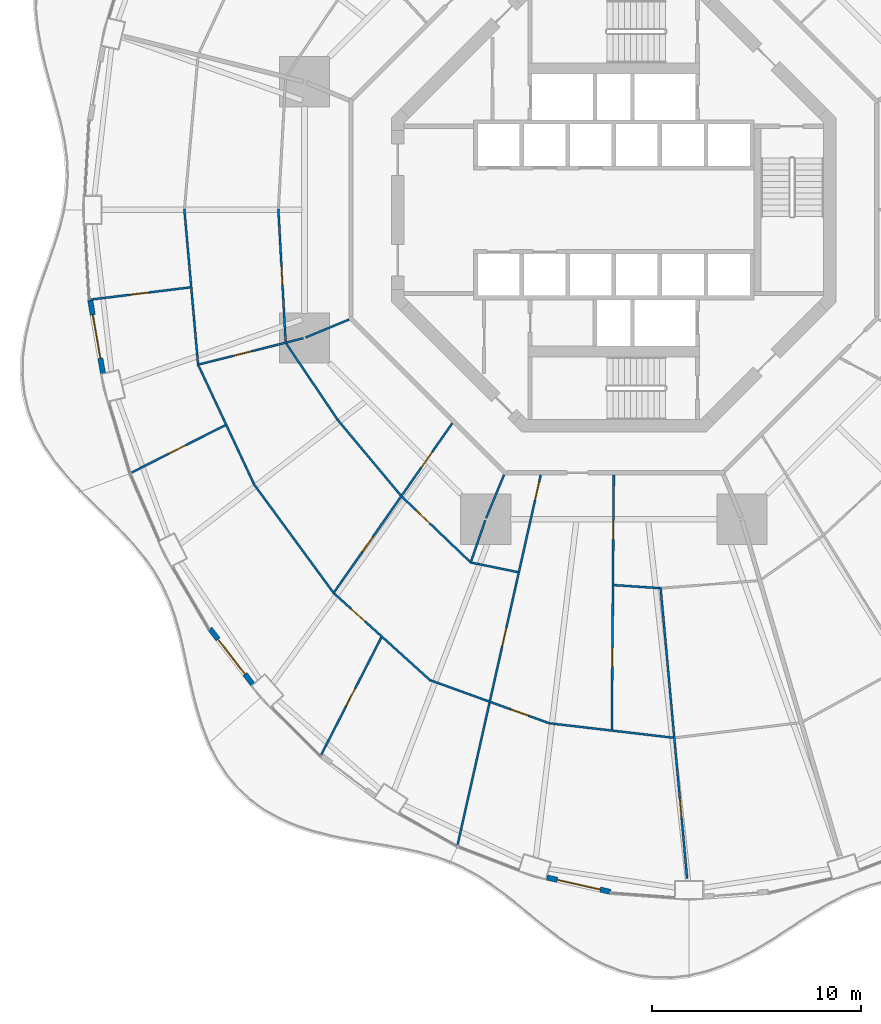
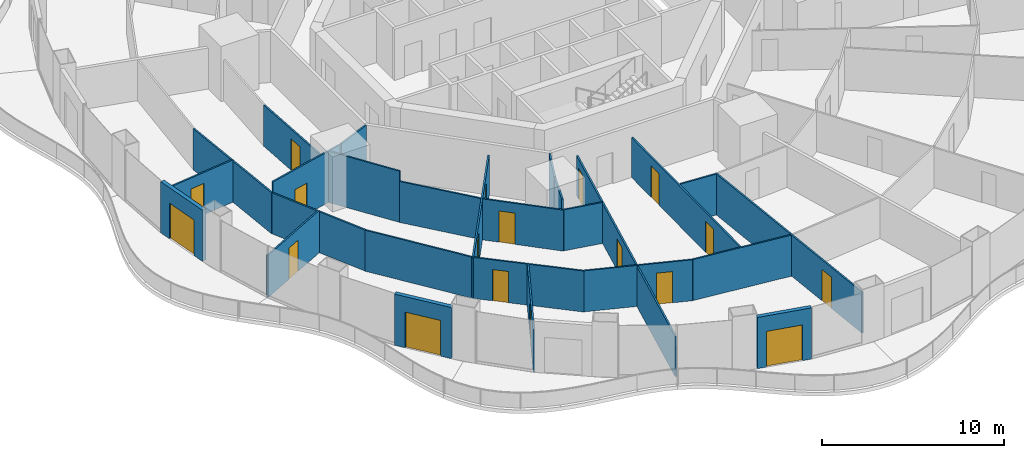
# One storey, part 14 of 22: 26 walls, 18 doors, 18 openings.
"""IFC4 building model written with IfcOpenShell, lengths in metres."""

from ifc_helpers import new_model, si_unit, direction, frame, frame_2d, origin, place, context, subcontext, project, spatial, rectangle, extrude, material, layer, layer_set, type_object, element, fill, save


model = new_model("IFC4")

# Units and contexts
model_context = context("Model", 3, precision=1e-05, world=origin(), true_north=direction((0.0, 1.0)))
body_context = subcontext(model_context, "Body", "Model", "MODEL_VIEW")
ifc_project = project(units=[si_unit("LENGTHUNIT", "METRE"), si_unit("AREAUNIT", "SQUARE_METRE"), si_unit("VOLUMEUNIT", "CUBIC_METRE"), si_unit("PLANEANGLEUNIT", "RADIAN"), si_unit("MASSUNIT", "GRAM", prefix="KILO")], contexts=[model_context])

# Site, building, storey
site_placement = place(None, origin())
site = spatial("IfcSite", under=ifc_project, at=site_placement, CompositionType="ELEMENT")
building_placement = place(site_placement, origin())
building = spatial("IfcBuilding", under=site, at=building_placement, Name="Nagisa Residences", CompositionType="ELEMENT")
storey_placement = place(building_placement, frame((0.0, 0.0, 45.5)))
storey = spatial("IfcBuildingStorey", under=building, at=storey_placement, Name="L10", CompositionType="ELEMENT", Elevation=45.5)

# Wall, opening, door
ifc_material_1 = material(Name="Gypsum board on steel studs", Category="steel")
ifc_layer_1 = layer(ifc_material_1, 0.10009765625)
ifc_layer_set_1 = layer_set([ifc_layer_1], Name="Apartment partition 100")
wall_type_1 = type_object("IfcWallType", Name="Apartment partition 100", PredefinedType="PARTITIONING", material=ifc_layer_set_1)
wall_1_placement = place(storey_placement, frame((-16.032958984375, 0.050048828125, 0.0), z_axis=(0.0, 0.0, 1.0), x_axis=(0.054634315779, -0.998506430395, 0.0)))
wall_1 = element("IfcWall", 1, at=wall_1_placement, inside=storey, type_object=wall_type_1, Name="wall:L10:u54", PredefinedType="PARTITIONING", context=body_context, shape_type="SweptSolid", body=[
    extrude(rectangle(XDim=6.35888671875, YDim=0.10009765625, at=frame_2d((3.179443359375, 0.0))), origin(), (0.0, 0.0, 1.0), 2.756103515625),
])
opening_1_placement = place(wall_1_placement, frame((2.75439453125, 0.0, 0.0)))
opening_1 = element("IfcOpeningElement", 2, at=opening_1_placement, cuts=wall_1, Name="Opening L10-U37", PredefinedType="OPENING", context=body_context, shape_type="SweptSolid", body=[
    extrude(rectangle(XDim=0.89990234375, YDim=2.10009765625, at=frame_2d((0.449951171875, 1.050048828125))), frame((0.0, 0.06005859375, 0.0), z_axis=(0.0, -1.0, 0.0), x_axis=(1.0, 0.0, 0.0)), (0.0, 0.0, 1.0), 0.1201171875),
])
ifc_material_2 = material(Name="Timber door set", Category="wood")
door_type_1 = type_object("IfcDoorType", Name="Apartment door 900x2100", OperationType="NOTDEFINED", PredefinedType="DOOR", material=ifc_material_2)
door_1_placement = place(opening_1_placement, origin())
door_1 = element("IfcDoor", 3, at=door_1_placement, inside=storey, type_object=door_type_1, Name="Door to store, Apartment 10B", OperationType="SINGLE_SWING_LEFT", OverallHeight=2.10009765625, OverallWidth=0.89990234375, PredefinedType="DOOR", context=body_context, shape_type="SweptSolid", body=[
    extrude(rectangle(XDim=0.89990234375, YDim=2.10009765625, at=frame_2d((0.449951171875, 1.050048828125))), frame((0.0, 0.02490234375, 0.0), z_axis=(0.0, -1.0, 0.0), x_axis=(1.0, 0.0, 0.0)), (0.0, 0.0, 1.0), 0.050048828125),
])
fill(opening_1, door_1)

# Wall
wall_2_placement = place(storey_placement, frame((-20.527099609375, 0.0498046875, 0.0), z_axis=(0.0, 0.0, 1.0), x_axis=(0.088135127406, -0.996108527881, 0.0)))
element("IfcWall", 4, at=wall_2_placement, inside=storey, type_object=wall_type_1, Name="wall:L10:u55", PredefinedType="PARTITIONING", context=body_context, shape_type="SweptSolid", body=[
    extrude(rectangle(XDim=7.529052734375, YDim=0.10009765625, at=frame_2d((3.7646484375, 0.0))), origin(), (0.0, 0.0, 1.0), 2.756103515625),
])

# Wall, opening, door
wall_3_placement = place(storey_placement, frame((-20.244873046875, -3.7060546875, 0.0), z_axis=(0.0, 0.0, 1.0), x_axis=(-0.992575966227, -0.121626277047, 0.0)))
wall_3 = element("IfcWall", 5, at=wall_3_placement, inside=storey, type_object=wall_type_1, Name="wall:L10:u56", PredefinedType="PARTITIONING", context=body_context, shape_type="SweptSolid", body=[
    extrude(rectangle(XDim=4.90380859375, YDim=0.10009765625, at=frame_2d((2.451904296875, 0.0))), origin(), (0.0, 0.0, 1.0), 2.8369140625),
])
opening_2_placement = place(wall_3_placement, frame((2.001708984375, 0.0, 0.0)))
opening_2 = element("IfcOpeningElement", 6, at=opening_2_placement, cuts=wall_3, Name="Opening L10-U36", PredefinedType="OPENING", context=body_context, shape_type="SweptSolid", body=[
    extrude(rectangle(XDim=0.89990234375, YDim=2.10009765625, at=frame_2d((0.449951171875, 1.050048828125))), frame((0.0, 0.06005859375, 0.0), z_axis=(0.0, -1.0, 0.0), x_axis=(1.0, 0.0, 0.0)), (0.0, 0.0, 1.0), 0.1201171875),
])
door_2_placement = place(opening_2_placement, frame((0.89990234375, 0.0, 0.0), x_axis=(-1.0, 0.0, 0.0)))
door_2 = element("IfcDoor", 7, at=door_2_placement, inside=storey, type_object=door_type_1, Name="Door to master bedroom, Apartment 10B", OperationType="SINGLE_SWING_LEFT", OverallHeight=2.10009765625, OverallWidth=0.89990234375, PredefinedType="DOOR", context=body_context, shape_type="SweptSolid", body=[
    extrude(rectangle(XDim=0.89990234375, YDim=2.10009765625, at=frame_2d((0.449951171875, 1.050048828125))), frame((0.0, 0.02490234375, 0.0), z_axis=(0.0, -1.0, 0.0), x_axis=(1.0, 0.0, 0.0)), (0.0, 0.0, 1.0), 0.050048828125),
])
fill(opening_2, door_2)

# Wall
wall_4_placement = place(storey_placement, frame((-12.6572265625, -5.24267578125, 0.0), z_axis=(0.0, 0.0, 1.0), x_axis=(-0.923864733477, -0.382719158442, 0.0)))
element("IfcWall", 8, at=wall_4_placement, inside=storey, type_object=wall_type_1, Name="wall:L10:u57", PredefinedType="PARTITIONING", context=body_context, shape_type="SweptSolid", body=[
    extrude(rectangle(XDim=2.25, YDim=0.10009765625, at=frame_2d((1.125, 0.0))), origin(), (0.0, 0.0, 1.0), 3.43994140625),
])

# Wall, opening, door
wall_5_placement = place(storey_placement, frame((-14.83056640625, -6.135009765625, 0.0), z_axis=(0.0, 0.0, 1.0), x_axis=(-0.96988230015, -0.243574062362, 0.0)))
wall_5 = element("IfcWall", 9, at=wall_5_placement, inside=storey, type_object=wall_type_1, Name="wall:L10:u58", PredefinedType="PARTITIONING", context=body_context, shape_type="SweptSolid", body=[
    extrude(rectangle(XDim=5.14404296875, YDim=0.10009765625, at=frame_2d((2.572021484375, 0.0))), origin(), (0.0, 0.0, 1.0), 3.43994140625),
])
opening_3_placement = place(wall_5_placement, frame((2.561279296875, 0.0, 0.0)))
opening_3 = element("IfcOpeningElement", 10, at=opening_3_placement, cuts=wall_5, Name="Opening L10-U35", PredefinedType="OPENING", context=body_context, shape_type="SweptSolid", body=[
    extrude(rectangle(XDim=0.89990234375, YDim=2.10009765625, at=frame_2d((0.449951171875, 1.050048828125))), frame((0.0, 0.06005859375, 0.0), z_axis=(0.0, -1.0, 0.0), x_axis=(1.0, 0.0, 0.0)), (0.0, 0.0, 1.0), 0.1201171875),
])
door_3_placement = place(opening_3_placement, frame((0.89990234375, 0.0, 0.0), x_axis=(-1.0, 0.0, 0.0)))
door_3 = element("IfcDoor", 11, at=door_3_placement, inside=storey, type_object=door_type_1, Name="Door to dining room, Apartment 10B", OperationType="SINGLE_SWING_RIGHT", OverallHeight=2.10009765625, OverallWidth=0.89990234375, PredefinedType="DOOR", context=body_context, shape_type="SweptSolid", body=[
    extrude(rectangle(XDim=0.89990234375, YDim=2.10009765625, at=frame_2d((0.449951171875, 1.050048828125))), frame((0.0, 0.02490234375, 0.0), z_axis=(0.0, -1.0, 0.0), x_axis=(1.0, 0.0, 0.0)), (0.0, 0.0, 1.0), 0.050048828125),
])
fill(opening_3, door_3)

# Walls
wall_6_placement = place(storey_placement, frame((-15.655029296875, -6.390625, 0.0), z_axis=(0.0, 0.0, 1.0), x_axis=(0.559126445155, -0.82908239538, 0.0)))
element("IfcWall", 12, at=wall_6_placement, inside=storey, type_object=wall_type_1, Name="wall:L10:u59", PredefinedType="PARTITIONING", context=body_context, shape_type="SweptSolid", body=[
    extrude(rectangle(XDim=4.358154296875, YDim=0.10009765625, at=frame_2d((2.17919921875, 0.0))), origin(), (0.0, 0.0, 1.0), 3.43994140625),
])
wall_7_placement = place(storey_placement, frame((-19.8466796875, -7.4453125, 0.0), z_axis=(0.0, 0.0, 1.0), x_axis=(0.423892287987, -0.905712607942, 0.0)))
element("IfcWall", 13, at=wall_7_placement, inside=storey, type_object=wall_type_1, Name="wall:L10:u60", PredefinedType="PARTITIONING", context=body_context, shape_type="SweptSolid", body=[
    extrude(rectangle(XDim=6.237548828125, YDim=0.10009765625, at=frame_2d((3.11865234375, 0.0))), origin(), (0.0, 0.0, 1.0), 2.756103515625),
])

# Wall, opening, door
wall_8_placement = place(storey_placement, frame((-18.5693359375, -10.29248046875, 0.0), z_axis=(0.0, 0.0, 1.0), x_axis=(-0.892519131357, -0.451009534446, 0.0)))
wall_8 = element("IfcWall", 14, at=wall_8_placement, inside=storey, type_object=wall_type_1, Name="wall:L10:u61", PredefinedType="PARTITIONING", context=body_context, shape_type="SweptSolid", body=[
    extrude(rectangle(XDim=5.139892578125, YDim=0.10009765625, at=frame_2d((2.56982421875, 0.0))), origin(), (0.0, 0.0, 1.0), 2.8369140625),
])
opening_4_placement = place(wall_8_placement, frame((2.119873046875, 0.0, 0.0)))
opening_4 = element("IfcOpeningElement", 15, at=opening_4_placement, cuts=wall_8, Name="Opening L10-U33", PredefinedType="OPENING", context=body_context, shape_type="SweptSolid", body=[
    extrude(rectangle(XDim=0.89990234375, YDim=2.10009765625, at=frame_2d((0.449951171875, 1.050048828125))), frame((0.0, 0.06005859375, 0.0), z_axis=(0.0, -1.0, 0.0), x_axis=(1.0, 0.0, 0.0)), (0.0, 0.0, 1.0), 0.1201171875),
])
door_4_placement = place(opening_4_placement, frame((0.89990234375, 0.0, 0.0), x_axis=(-1.0, 0.0, 0.0)))
door_4 = element("IfcDoor", 16, at=door_4_placement, inside=storey, type_object=door_type_1, Name="Door to study, Apartment 10B", OperationType="SINGLE_SWING_RIGHT", OverallHeight=2.10009765625, OverallWidth=0.89990234375, PredefinedType="DOOR", context=body_context, shape_type="SweptSolid", body=[
    extrude(rectangle(XDim=0.89990234375, YDim=2.10009765625, at=frame_2d((0.449951171875, 1.050048828125))), frame((0.0, 0.02490234375, 0.0), z_axis=(0.0, -1.0, 0.0), x_axis=(1.0, 0.0, 0.0)), (0.0, 0.0, 1.0), 0.050048828125),
])
fill(opening_4, door_4)

# Walls
wall_9_placement = place(storey_placement, frame((-13.222412109375, -10.0068359375, 0.0), z_axis=(0.0, 0.0, 1.0), x_axis=(0.640807748916, -0.767701393075, 0.0)))
element("IfcWall", 17, at=wall_9_placement, inside=storey, type_object=wall_type_1, Name="wall:L10:u62", PredefinedType="PARTITIONING", context=body_context, shape_type="SweptSolid", body=[
    extrude(rectangle(XDim=4.73681640625, YDim=0.10009765625, at=frame_2d((2.368408203125, 0.0))), origin(), (0.0, 0.0, 1.0), 2.756103515625),
])
wall_10_placement = place(storey_placement, frame((-17.2109375, -13.099609375, 0.0), z_axis=(0.0, 0.0, 1.0), x_axis=(0.591206785834, -0.806520016109, 0.0)))
element("IfcWall", 18, at=wall_10_placement, inside=storey, type_object=wall_type_1, Name="wall:L10:u63", PredefinedType="PARTITIONING", context=body_context, shape_type="SweptSolid", body=[
    extrude(rectangle(XDim=6.409912109375, YDim=0.10009765625, at=frame_2d((3.205078125, 0.0))), origin(), (0.0, 0.0, 1.0), 2.756103515625),
])

# Wall, openings, doors
wall_11_placement = place(storey_placement, frame((-7.71533203125, -10.193359375, 0.0), z_axis=(0.0, 0.0, 1.0), x_axis=(-0.573126502256, -0.819466907454, 0.0)))
wall_11 = element("IfcWall", 19, at=wall_11_placement, inside=storey, type_object=wall_type_1, Name="wall:L10:u64", PredefinedType="PARTITIONING", context=body_context, shape_type="SweptSolid", body=[
    extrude(rectangle(XDim=9.954345703125, YDim=0.10009765625, at=frame_2d((4.97705078125, 0.0))), origin(), (0.0, 0.0, 1.0), 2.68701171875),
])
opening_5_placement = place(wall_11_placement, frame((6.630615234375, 0.0, 0.0)))
opening_5 = element("IfcOpeningElement", 20, at=opening_5_placement, cuts=wall_11, Name="Opening L10-U32", PredefinedType="OPENING", context=body_context, shape_type="SweptSolid", body=[
    extrude(rectangle(XDim=0.89990234375, YDim=2.10009765625, at=frame_2d((0.449951171875, 1.050048828125))), frame((0.0, 0.06005859375, 0.0), z_axis=(0.0, -1.0, 0.0), x_axis=(1.0, 0.0, 0.0)), (0.0, 0.0, 1.0), 0.1201171875),
])
opening_6_placement = place(wall_11_placement, frame((1.678466796875, 0.0, 0.0)))
opening_6 = element("IfcOpeningElement", 21, at=opening_6_placement, cuts=wall_11, Name="Opening L10-U34", PredefinedType="OPENING", context=body_context, shape_type="SweptSolid", body=[
    extrude(rectangle(XDim=0.89990234375, YDim=2.10009765625, at=frame_2d((0.449951171875, 1.050048828125))), frame((0.0, 0.06005859375, 0.0), z_axis=(0.0, -1.0, 0.0), x_axis=(1.0, 0.0, 0.0)), (0.0, 0.0, 1.0), 0.1201171875),
])
door_5_placement = place(opening_5_placement, frame((0.89990234375, 0.0, 0.0), x_axis=(-1.0, 0.0, 0.0)))
door_5 = element("IfcDoor", 22, at=door_5_placement, inside=storey, type_object=door_type_1, Name="Door to family room, Apartment 10B", OperationType="SINGLE_SWING_LEFT", OverallHeight=2.10009765625, OverallWidth=0.89990234375, PredefinedType="DOOR", context=body_context, shape_type="SweptSolid", body=[
    extrude(rectangle(XDim=0.89990234375, YDim=2.10009765625, at=frame_2d((0.449951171875, 1.050048828125))), frame((0.0, 0.02490234375, 0.0), z_axis=(0.0, -1.0, 0.0), x_axis=(1.0, 0.0, 0.0)), (0.0, 0.0, 1.0), 0.050048828125),
])
fill(opening_5, door_5)
door_6_placement = place(opening_6_placement, frame((0.89990234375, 0.0, 0.0), x_axis=(-1.0, 0.0, 0.0)))
door_6 = element("IfcDoor", 23, at=door_6_placement, inside=storey, type_object=door_type_1, Name="Door to store, Apartment 10B", OperationType="SINGLE_SWING_LEFT", OverallHeight=2.10009765625, OverallWidth=0.89990234375, PredefinedType="DOOR", context=body_context, shape_type="SweptSolid", body=[
    extrude(rectangle(XDim=0.89990234375, YDim=2.10009765625, at=frame_2d((0.449951171875, 1.050048828125))), frame((0.0, 0.02490234375, 0.0), z_axis=(0.0, -1.0, 0.0), x_axis=(1.0, 0.0, 0.0)), (0.0, 0.0, 1.0), 0.050048828125),
])
fill(opening_6, door_6)

# Wall, opening, door
wall_12_placement = place(storey_placement, frame((-10.118896484375, -13.716064453125, 0.0), z_axis=(0.0, 0.0, 1.0), x_axis=(0.722763212502, -0.69109575216, 0.0)))
wall_12 = element("IfcWall", 24, at=wall_12_placement, inside=storey, type_object=wall_type_1, Name="wall:L10:u65", PredefinedType="PARTITIONING", context=body_context, shape_type="SweptSolid", body=[
    extrude(rectangle(XDim=4.587158203125, YDim=0.10009765625, at=frame_2d((2.29345703125, 0.0))), origin(), (0.0, 0.0, 1.0), 2.756103515625),
])
opening_7_placement = place(wall_12_placement, frame((0.9375, 0.0, 0.0)))
opening_7 = element("IfcOpeningElement", 25, at=opening_7_placement, cuts=wall_12, Name="Opening L10-U31", PredefinedType="OPENING", context=body_context, shape_type="SweptSolid", body=[
    extrude(rectangle(XDim=0.89990234375, YDim=2.10009765625, at=frame_2d((0.449951171875, 1.050048828125))), frame((0.0, 0.06005859375, 0.0), z_axis=(0.0, -1.0, 0.0), x_axis=(1.0, 0.0, 0.0)), (0.0, 0.0, 1.0), 0.1201171875),
])
door_7_placement = place(opening_7_placement, origin())
door_7 = element("IfcDoor", 26, at=door_7_placement, inside=storey, type_object=door_type_1, Name="Door to laundry, Apartment 10B", OperationType="SINGLE_SWING_LEFT", OverallHeight=2.10009765625, OverallWidth=0.89990234375, PredefinedType="DOOR", context=body_context, shape_type="SweptSolid", body=[
    extrude(rectangle(XDim=0.89990234375, YDim=2.10009765625, at=frame_2d((0.449951171875, 1.050048828125))), frame((0.0, 0.02490234375, 0.0), z_axis=(0.0, -1.0, 0.0), x_axis=(1.0, 0.0, 0.0)), (0.0, 0.0, 1.0), 0.050048828125),
])
fill(opening_7, door_7)

wall_13_placement = place(storey_placement, frame((-13.354736328125, -18.34326171875, 0.0), z_axis=(0.0, 0.0, 1.0), x_axis=(0.741720189244, -0.670709445936, 0.0)))
wall_13 = element("IfcWall", 27, at=wall_13_placement, inside=storey, type_object=wall_type_1, Name="wall:L10:u66", PredefinedType="PARTITIONING", context=body_context, shape_type="SweptSolid", body=[
    extrude(rectangle(XDim=6.209228515625, YDim=0.10009765625, at=frame_2d((3.1044921875, 0.0))), origin(), (0.0, 0.0, 1.0), 2.756103515625),
])
opening_8_placement = place(wall_13_placement, frame((1.077392578125, 0.0, 0.0)))
opening_8 = element("IfcOpeningElement", 28, at=opening_8_placement, cuts=wall_13, Name="Opening L10-U27", PredefinedType="OPENING", context=body_context, shape_type="SweptSolid", body=[
    extrude(rectangle(XDim=0.89990234375, YDim=2.10009765625, at=frame_2d((0.449951171875, 1.050048828125))), frame((0.0, 0.06005859375, 0.0), z_axis=(0.0, -1.0, 0.0), x_axis=(1.0, 0.0, 0.0)), (0.0, 0.0, 1.0), 0.1201171875),
])
door_8_placement = place(opening_8_placement, frame((0.89990234375, 0.0, 0.0), x_axis=(-1.0, 0.0, 0.0)))
door_8 = element("IfcDoor", 29, at=door_8_placement, inside=storey, type_object=door_type_1, Name="Door to family room, Apartment 10B", OperationType="SINGLE_SWING_RIGHT", OverallHeight=2.10009765625, OverallWidth=0.89990234375, PredefinedType="DOOR", context=body_context, shape_type="SweptSolid", body=[
    extrude(rectangle(XDim=0.89990234375, YDim=2.10009765625, at=frame_2d((0.449951171875, 1.050048828125))), frame((0.0, 0.02490234375, 0.0), z_axis=(0.0, -1.0, 0.0), x_axis=(1.0, 0.0, 0.0)), (0.0, 0.0, 1.0), 0.050048828125),
])
fill(opening_8, door_8)

wall_14_placement = place(storey_placement, frame((-11.11181640625, -20.4365234375, 0.0), z_axis=(0.0, 0.0, 1.0), x_axis=(-0.455901610863, -0.890030179945, 0.0)))
wall_14 = element("IfcWall", 30, at=wall_14_placement, inside=storey, type_object=wall_type_1, Name="wall:L10:u67", PredefinedType="PARTITIONING", context=body_context, shape_type="SweptSolid", body=[
    extrude(rectangle(XDim=6.413818359375, YDim=0.10009765625, at=frame_2d((3.20703125, 0.0))), origin(), (0.0, 0.0, 1.0), 2.8369140625),
])
opening_9_placement = place(wall_14_placement, frame((2.7568359375, 0.0, 0.0)))
opening_9 = element("IfcOpeningElement", 31, at=opening_9_placement, cuts=wall_14, Name="Opening L10-U28", PredefinedType="OPENING", context=body_context, shape_type="SweptSolid", body=[
    extrude(rectangle(XDim=0.89990234375, YDim=2.10009765625, at=frame_2d((0.449951171875, 1.050048828125))), frame((0.0, 0.06005859375, 0.0), z_axis=(0.0, -1.0, 0.0), x_axis=(1.0, 0.0, 0.0)), (0.0, 0.0, 1.0), 0.1201171875),
])
door_9_placement = place(opening_9_placement, origin())
door_9 = element("IfcDoor", 32, at=door_9_placement, inside=storey, type_object=door_type_1, Name="Door to master bedroom, Apartment 10B", OperationType="SINGLE_SWING_RIGHT", OverallHeight=2.10009765625, OverallWidth=0.89990234375, PredefinedType="DOOR", context=body_context, shape_type="SweptSolid", body=[
    extrude(rectangle(XDim=0.89990234375, YDim=2.10009765625, at=frame_2d((0.449951171875, 1.050048828125))), frame((0.0, 0.02490234375, 0.0), z_axis=(0.0, -1.0, 0.0), x_axis=(1.0, 0.0, 0.0)), (0.0, 0.0, 1.0), 0.050048828125),
])
fill(opening_9, door_9)

# Walls
wall_15_placement = place(storey_placement, frame((-5.24267578125, -12.6572265625, 0.0), z_axis=(0.0, 0.0, 1.0), x_axis=(-0.382719158442, -0.923864733477, 0.0)))
element("IfcWall", 33, at=wall_15_placement, inside=storey, type_object=wall_type_1, Name="wall:L10:u68", PredefinedType="PARTITIONING", context=body_context, shape_type="SweptSolid", body=[
    extrude(rectangle(XDim=2.25, YDim=0.10009765625, at=frame_2d((1.125, 0.0))), origin(), (0.0, 0.0, 1.0), 3.43994140625),
])
wall_16_placement = place(storey_placement, frame((-6.139404296875, -14.829833984375, 0.0), z_axis=(0.0, 0.0, 1.0), x_axis=(-0.327246993321, -0.944938836837, 0.0)))
element("IfcWall", 34, at=wall_16_placement, inside=storey, type_object=wall_type_1, Name="wall:L10:u69", PredefinedType="PARTITIONING", context=body_context, shape_type="SweptSolid", body=[
    extrude(rectangle(XDim=2.089599609375, YDim=0.10009765625, at=frame_2d((1.044921875, 0.0))), origin(), (0.0, 0.0, 1.0), 3.43994140625),
])
wall_17_placement = place(storey_placement, frame((-6.79052734375, -16.861572265625, 0.0), z_axis=(0.0, 0.0, 1.0), x_axis=(0.979581941859, -0.201045316246, 0.0)))
element("IfcWall", 35, at=wall_17_placement, inside=storey, type_object=wall_type_1, Name="wall:L10:u70", PredefinedType="PARTITIONING", context=body_context, shape_type="SweptSolid", body=[
    extrude(rectangle(XDim=2.25634765625, YDim=0.10009765625, at=frame_2d((1.128173828125, 0.0))), origin(), (0.0, 0.0, 1.0), 2.756103515625),
])

# Wall, opening, door
wall_18_placement = place(storey_placement, frame((-8.7392578125, -22.4912109375, 0.0), z_axis=(0.0, 0.0, 1.0), x_axis=(0.940401691072, -0.340065669288, 0.0)))
wall_18 = element("IfcWall", 36, at=wall_18_placement, inside=storey, type_object=wall_type_1, Name="wall:L10:u71", PredefinedType="PARTITIONING", context=body_context, shape_type="SweptSolid", body=[
    extrude(rectangle(XDim=6.067138671875, YDim=0.10009765625, at=frame_2d((3.03369140625, 0.0))), origin(), (0.0, 0.0, 1.0), 2.756103515625),
])
opening_10_placement = place(wall_18_placement, frame((4.05029296875, 0.0, 0.0)))
opening_10 = element("IfcOpeningElement", 37, at=opening_10_placement, cuts=wall_18, Name="Opening L10-U29", PredefinedType="OPENING", context=body_context, shape_type="SweptSolid", body=[
    extrude(rectangle(XDim=0.89990234375, YDim=2.10009765625, at=frame_2d((0.449951171875, 1.050048828125))), frame((0.0, 0.06005859375, 0.0), z_axis=(0.0, -1.0, 0.0), x_axis=(1.0, 0.0, 0.0)), (0.0, 0.0, 1.0), 0.1201171875),
])
door_10_placement = place(opening_10_placement, frame((0.89990234375, 0.0, 0.0), x_axis=(-1.0, 0.0, 0.0)))
door_10 = element("IfcDoor", 38, at=door_10_placement, inside=storey, type_object=door_type_1, Name="Door to dining room, Apartment 10B", OperationType="SINGLE_SWING_RIGHT", OverallHeight=2.10009765625, OverallWidth=0.89990234375, PredefinedType="DOOR", context=body_context, shape_type="SweptSolid", body=[
    extrude(rectangle(XDim=0.89990234375, YDim=2.10009765625, at=frame_2d((0.449951171875, 1.050048828125))), frame((0.0, 0.02490234375, 0.0), z_axis=(0.0, -1.0, 0.0), x_axis=(1.0, 0.0, 0.0)), (0.0, 0.0, 1.0), 0.050048828125),
])
fill(opening_10, door_10)

# Wall, openings, doors
wall_19_placement = place(storey_placement, frame((-3.49169921875, -12.662353515625, 0.0), z_axis=(0.0, 0.0, 1.0), x_axis=(-0.219268088006, -0.975664648115, 0.0)))
wall_19 = element("IfcWall", 39, at=wall_19_placement, inside=storey, type_object=wall_type_1, Name="wall:L10:u72", PredefinedType="PARTITIONING", context=body_context, shape_type="SweptSolid", body=[
    extrude(rectangle(XDim=18.230224609375, YDim=0.10009765625, at=frame_2d((9.115234375, 0.0))), origin(), (0.0, 0.0, 1.0), 2.68701171875),
])
opening_11_placement = place(wall_19_placement, frame((0.35009765625, 0.0, 0.0)))
opening_11 = element("IfcOpeningElement", 40, at=opening_11_placement, cuts=wall_19, Name="Opening L10-U22", PredefinedType="OPENING", context=body_context, shape_type="SweptSolid", body=[
    extrude(rectangle(XDim=0.89990234375, YDim=2.10009765625, at=frame_2d((0.449951171875, 1.050048828125))), frame((0.0, 0.06005859375, 0.0), z_axis=(0.0, -1.0, 0.0), x_axis=(1.0, 0.0, 0.0)), (0.0, 0.0, 1.0), 0.1201171875),
])
opening_12_placement = place(wall_19_placement, frame((7.49658203125, 0.0, 0.0)))
opening_12 = element("IfcOpeningElement", 41, at=opening_12_placement, cuts=wall_19, Name="Opening L10-U24", PredefinedType="OPENING", context=body_context, shape_type="SweptSolid", body=[
    extrude(rectangle(XDim=0.89990234375, YDim=2.10009765625, at=frame_2d((0.449951171875, 1.050048828125))), frame((0.0, 0.06005859375, 0.0), z_axis=(0.0, -1.0, 0.0), x_axis=(1.0, 0.0, 0.0)), (0.0, 0.0, 1.0), 0.1201171875),
])
door_11_placement = place(opening_11_placement, frame((0.89990234375, 0.0, 0.0), x_axis=(-1.0, 0.0, 0.0)))
door_11 = element("IfcDoor", 42, at=door_11_placement, inside=storey, type_object=door_type_1, Name="Door to family bathroom, Apartment 10B", OperationType="SINGLE_SWING_LEFT", OverallHeight=2.10009765625, OverallWidth=0.89990234375, PredefinedType="DOOR", context=body_context, shape_type="SweptSolid", body=[
    extrude(rectangle(XDim=0.89990234375, YDim=2.10009765625, at=frame_2d((0.449951171875, 1.050048828125))), frame((0.0, 0.02490234375, 0.0), z_axis=(0.0, -1.0, 0.0), x_axis=(1.0, 0.0, 0.0)), (0.0, 0.0, 1.0), 0.050048828125),
])
fill(opening_11, door_11)
door_12_placement = place(opening_12_placement, frame((0.89990234375, 0.0, 0.0), x_axis=(-1.0, 0.0, 0.0)))
door_12 = element("IfcDoor", 43, at=door_12_placement, inside=storey, type_object=door_type_1, Name="Door to dining room, Apartment 10B", OperationType="SINGLE_SWING_LEFT", OverallHeight=2.10009765625, OverallWidth=0.89990234375, PredefinedType="DOOR", context=body_context, shape_type="SweptSolid", body=[
    extrude(rectangle(XDim=0.89990234375, YDim=2.10009765625, at=frame_2d((0.449951171875, 1.050048828125))), frame((0.0, 0.02490234375, 0.0), z_axis=(0.0, -1.0, 0.0), x_axis=(1.0, 0.0, 0.0)), (0.0, 0.0, 1.0), 0.050048828125),
])
fill(opening_12, door_12)

# Wall
wall_20_placement = place(storey_placement, frame((-3.03125, -24.543212890625, 0.0), z_axis=(0.0, 0.0, 1.0), x_axis=(0.993255612046, -0.115945198862, 0.0)))
element("IfcWall", 44, at=wall_20_placement, inside=storey, type_object=wall_type_1, Name="wall:L10:u73", PredefinedType="PARTITIONING", context=body_context, shape_type="SweptSolid", body=[
    extrude(rectangle(XDim=5.91259765625, YDim=0.10009765625, at=frame_2d((2.956298828125, 0.0))), origin(), (0.0, 0.0, 1.0), 2.756103515625),
])

# Wall, openings, doors
wall_21_placement = place(storey_placement, frame((-0.000732421875, -12.664794921875, 0.0), z_axis=(0.0, 0.0, 1.0), x_axis=(-0.007702417287, -0.999970335944, 0.0)))
wall_21 = element("IfcWall", 45, at=wall_21_placement, inside=storey, type_object=wall_type_1, Name="wall:L10:u74", PredefinedType="PARTITIONING", context=body_context, shape_type="SweptSolid", body=[
    extrude(rectangle(XDim=12.17138671875, YDim=0.10009765625, at=frame_2d((6.085693359375, 0.0))), origin(), (0.0, 0.0, 1.0), 2.68701171875),
])
opening_13_placement = place(wall_21_placement, frame((2.182861328125, 0.0, 0.0)))
opening_13 = element("IfcOpeningElement", 46, at=opening_13_placement, cuts=wall_21, Name="Opening L10-U23", PredefinedType="OPENING", context=body_context, shape_type="SweptSolid", body=[
    extrude(rectangle(XDim=0.89990234375, YDim=2.10009765625, at=frame_2d((0.449951171875, 1.050048828125))), frame((0.0, 0.06005859375, 0.0), z_axis=(0.0, -1.0, 0.0), x_axis=(1.0, 0.0, 0.0)), (0.0, 0.0, 1.0), 0.1201171875),
])
opening_14_placement = place(wall_21_placement, frame((8.268798828125, 0.0, 0.0)))
opening_14 = element("IfcOpeningElement", 47, at=opening_14_placement, cuts=wall_21, Name="Opening L10-U25", PredefinedType="OPENING", context=body_context, shape_type="SweptSolid", body=[
    extrude(rectangle(XDim=0.89990234375, YDim=2.10009765625, at=frame_2d((0.449951171875, 1.050048828125))), frame((0.0, 0.06005859375, 0.0), z_axis=(0.0, -1.0, 0.0), x_axis=(1.0, 0.0, 0.0)), (0.0, 0.0, 1.0), 0.1201171875),
])
door_13_placement = place(opening_13_placement, origin())
door_13 = element("IfcDoor", 48, at=door_13_placement, inside=storey, type_object=door_type_1, Name="Door to laundry, Apartment 10B", OperationType="SINGLE_SWING_LEFT", OverallHeight=2.10009765625, OverallWidth=0.89990234375, PredefinedType="DOOR", context=body_context, shape_type="SweptSolid", body=[
    extrude(rectangle(XDim=0.89990234375, YDim=2.10009765625, at=frame_2d((0.449951171875, 1.050048828125))), frame((0.0, 0.02490234375, 0.0), z_axis=(0.0, -1.0, 0.0), x_axis=(1.0, 0.0, 0.0)), (0.0, 0.0, 1.0), 0.050048828125),
])
fill(opening_13, door_13)
door_14_placement = place(opening_14_placement, origin())
door_14 = element("IfcDoor", 49, at=door_14_placement, inside=storey, type_object=door_type_1, Name="Door to family bathroom, Apartment 10B", OperationType="SINGLE_SWING_LEFT", OverallHeight=2.10009765625, OverallWidth=0.89990234375, PredefinedType="DOOR", context=body_context, shape_type="SweptSolid", body=[
    extrude(rectangle(XDim=0.89990234375, YDim=2.10009765625, at=frame_2d((0.449951171875, 1.050048828125))), frame((0.0, 0.02490234375, 0.0), z_axis=(0.0, -1.0, 0.0), x_axis=(1.0, 0.0, 0.0)), (0.0, 0.0, 1.0), 0.050048828125),
])
fill(opening_14, door_14)

# Wall
wall_22_placement = place(storey_placement, frame((0.008544921875, -17.933837890625, 0.0), z_axis=(0.0, 0.0, 1.0), x_axis=(0.997794542617, -0.066378089183, 0.0)))
element("IfcWall", 50, at=wall_22_placement, inside=storey, type_object=wall_type_1, Name="wall:L10:u75", PredefinedType="PARTITIONING", context=body_context, shape_type="SweptSolid", body=[
    extrude(rectangle(XDim=2.184814453125, YDim=0.10009765625, at=frame_2d((1.09228515625, 0.0))), origin(), (0.0, 0.0, 1.0), 2.756103515625),
])

# Wall, opening, door
wall_23_placement = place(storey_placement, frame((2.23388671875, -18.032470703125, 0.0), z_axis=(0.0, 0.0, 1.0), x_axis=(0.090891502968, -0.995860800859, 0.0)))
wall_23 = element("IfcWall", 51, at=wall_23_placement, inside=storey, type_object=wall_type_1, Name="wall:L10:u76", PredefinedType="PARTITIONING", context=body_context, shape_type="SweptSolid", body=[
    extrude(rectangle(XDim=13.983642578125, YDim=0.10009765625, at=frame_2d((6.99169921875, 0.0))), origin(), (0.0, 0.0, 1.0), 2.756103515625),
])
opening_15_placement = place(wall_23_placement, frame((10.157958984375, 0.0, 0.0)))
opening_15 = element("IfcOpeningElement", 52, at=opening_15_placement, cuts=wall_23, Name="Opening L10-U30", PredefinedType="OPENING", context=body_context, shape_type="SweptSolid", body=[
    extrude(rectangle(XDim=0.89990234375, YDim=2.10009765625, at=frame_2d((0.449951171875, 1.050048828125))), frame((0.0, 0.06005859375, 0.0), z_axis=(0.0, -1.0, 0.0), x_axis=(1.0, 0.0, 0.0)), (0.0, 0.0, 1.0), 0.1201171875),
])
door_15_placement = place(opening_15_placement, origin())
door_15 = element("IfcDoor", 53, at=door_15_placement, inside=storey, type_object=door_type_1, Name="Door to master bedroom, Apartment 10B", OperationType="SINGLE_SWING_RIGHT", OverallHeight=2.10009765625, OverallWidth=0.89990234375, PredefinedType="DOOR", context=body_context, shape_type="SweptSolid", body=[
    extrude(rectangle(XDim=0.89990234375, YDim=2.10009765625, at=frame_2d((0.449951171875, 1.050048828125))), frame((0.0, 0.02490234375, 0.0), z_axis=(0.0, -1.0, 0.0), x_axis=(1.0, 0.0, 0.0)), (0.0, 0.0, 1.0), 0.050048828125),
])
fill(opening_15, door_15)

ifc_material_3 = material(Name="Precast concrete C40/50", Category="concrete")
ifc_layer_2 = layer(ifc_material_3, 0.25)
ifc_layer_set_2 = layer_set([ifc_layer_2], Name="BALCONY DOOR WALL 250")
wall_type_2 = type_object("IfcWallType", Name="BALCONY DOOR WALL 250", PredefinedType="SOLIDWALL", material=ifc_layer_set_2)
wall_24_placement = place(storey_placement, frame((-24.4091796875, -7.830078125, 0.0), z_axis=(0.0, 0.0, 1.0), x_axis=(-0.172217377323, 0.98505897029, 0.0)))
wall_24 = element("IfcWall", 54, at=wall_24_placement, inside=storey, type_object=wall_type_2, Name="wall:L10:bay25", PredefinedType="SOLIDWALL", context=body_context, shape_type="SweptSolid", body=[
    extrude(rectangle(XDim=3.597900390625, YDim=0.25, at=frame_2d((1.798828125, 0.0))), origin(), (0.0, 0.0, 1.0), 3.43994140625),
])
opening_16_placement = place(wall_24_placement, frame((0.7490234375, 0.0, 0.0)))
opening_16 = element("IfcOpeningElement", 55, at=opening_16_placement, cuts=wall_24, Name="Opening BD-L10-09", PredefinedType="OPENING", context=body_context, shape_type="SweptSolid", body=[
    extrude(rectangle(XDim=2.10009765625, YDim=2.39990234375, at=frame_2d((1.050048828125, 1.199951171875))), frame((0.0, 0.135009765625, 0.0), z_axis=(0.0, -1.0, 0.0), x_axis=(1.0, 0.0, 0.0)), (0.0, 0.0, 1.0), 0.27001953125),
])
ifc_material_4 = material(Name="Aluminium and clear glass", Category="aluminium")
door_type_2 = type_object("IfcDoorType", Name="BALCONY SLIDING DOOR 2100x2400", OperationType="SLIDING_TO_LEFT", PredefinedType="DOOR", material=ifc_material_4)
door_16_placement = place(opening_16_placement, origin())
door_16 = element("IfcDoor", 56, at=door_16_placement, inside=storey, type_object=door_type_2, Name="door:L10:bay25", OperationType="SLIDING_TO_LEFT", OverallHeight=2.39990234375, OverallWidth=2.10009765625, PredefinedType="DOOR", context=body_context, shape_type="SweptSolid", body=[
    extrude(rectangle(XDim=2.10009765625, YDim=2.39990234375, at=frame_2d((1.050048828125, 1.199951171875))), frame((0.0, 0.02490234375, 0.0), z_axis=(0.0, -1.0, 0.0), x_axis=(1.0, 0.0, 0.0)), (0.0, 0.0, 1.0), 0.050048828125),
])
fill(opening_16, door_16)

wall_25_placement = place(storey_placement, frame((-17.234375, -22.703857421875, 0.0), z_axis=(0.0, 0.0, 1.0), x_axis=(-0.610457147657, 0.792049285635, 0.0)))
wall_25 = element("IfcWall", 57, at=wall_25_placement, inside=storey, type_object=wall_type_2, Name="wall:L10:bay29", PredefinedType="SOLIDWALL", context=body_context, shape_type="SweptSolid", body=[
    extrude(rectangle(XDim=3.3974609375, YDim=0.25, at=frame_2d((1.69873046875, 0.0))), origin(), (0.0, 0.0, 1.0), 3.43994140625),
])
opening_17_placement = place(wall_25_placement, frame((0.648681640625, 0.0, 0.0)))
opening_17 = element("IfcOpeningElement", 58, at=opening_17_placement, cuts=wall_25, Name="Opening BD-L10-10", PredefinedType="OPENING", context=body_context, shape_type="SweptSolid", body=[
    extrude(rectangle(XDim=2.10009765625, YDim=2.39990234375, at=frame_2d((1.050048828125, 1.199951171875))), frame((0.0, 0.135009765625, 0.0), z_axis=(0.0, -1.0, 0.0), x_axis=(1.0, 0.0, 0.0)), (0.0, 0.0, 1.0), 0.27001953125),
])
door_17_placement = place(opening_17_placement, origin())
door_17 = element("IfcDoor", 59, at=door_17_placement, inside=storey, type_object=door_type_2, Name="door:L10:bay29", OperationType="SLIDING_TO_LEFT", OverallHeight=2.39990234375, OverallWidth=2.10009765625, PredefinedType="DOOR", context=body_context, shape_type="SweptSolid", body=[
    extrude(rectangle(XDim=2.10009765625, YDim=2.39990234375, at=frame_2d((1.050048828125, 1.199951171875))), frame((0.0, 0.02490234375, 0.0), z_axis=(0.0, -1.0, 0.0), x_axis=(1.0, 0.0, 0.0)), (0.0, 0.0, 1.0), 0.050048828125),
])
fill(opening_17, door_17)

wall_26_placement = place(storey_placement, frame((-0.15771484375, -32.595703125, 0.0), z_axis=(0.0, 0.0, 1.0), x_axis=(-0.975331134677, 0.220746863466, 0.0)))
wall_26 = element("IfcWall", 60, at=wall_26_placement, inside=storey, type_object=wall_type_2, Name="wall:L10:bay34", PredefinedType="SOLIDWALL", context=body_context, shape_type="SweptSolid", body=[
    extrude(rectangle(XDim=3.114501953125, YDim=0.25, at=frame_2d((1.55712890625, 0.0))), origin(), (0.0, 0.0, 1.0), 3.43994140625),
])
opening_18_placement = place(wall_26_placement, frame((0.50732421875, 0.0, 0.0)))
opening_18 = element("IfcOpeningElement", 61, at=opening_18_placement, cuts=wall_26, Name="Opening BD-L10-12", PredefinedType="OPENING", context=body_context, shape_type="SweptSolid", body=[
    extrude(rectangle(XDim=2.10009765625, YDim=2.39990234375, at=frame_2d((1.050048828125, 1.199951171875))), frame((0.0, 0.135009765625, 0.0), z_axis=(0.0, -1.0, 0.0), x_axis=(1.0, 0.0, 0.0)), (0.0, 0.0, 1.0), 0.27001953125),
])
door_18_placement = place(opening_18_placement, origin())
door_18 = element("IfcDoor", 62, at=door_18_placement, inside=storey, type_object=door_type_2, Name="door:L10:bay34", OperationType="SLIDING_TO_LEFT", OverallHeight=2.39990234375, OverallWidth=2.10009765625, PredefinedType="DOOR", context=body_context, shape_type="SweptSolid", body=[
    extrude(rectangle(XDim=2.10009765625, YDim=2.39990234375, at=frame_2d((1.050048828125, 1.199951171875))), frame((0.0, 0.02490234375, 0.0), z_axis=(0.0, -1.0, 0.0), x_axis=(1.0, 0.0, 0.0)), (0.0, 0.0, 1.0), 0.050048828125),
])
fill(opening_18, door_18)

save(model, "model.ifc")
